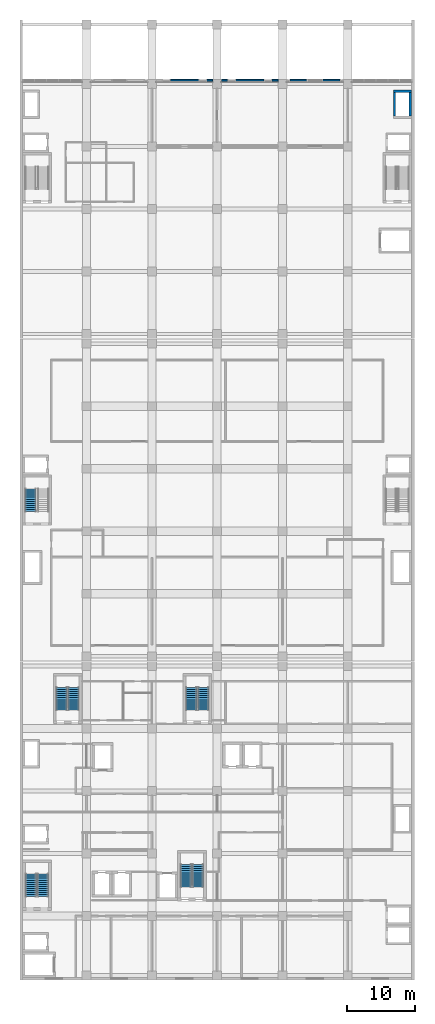
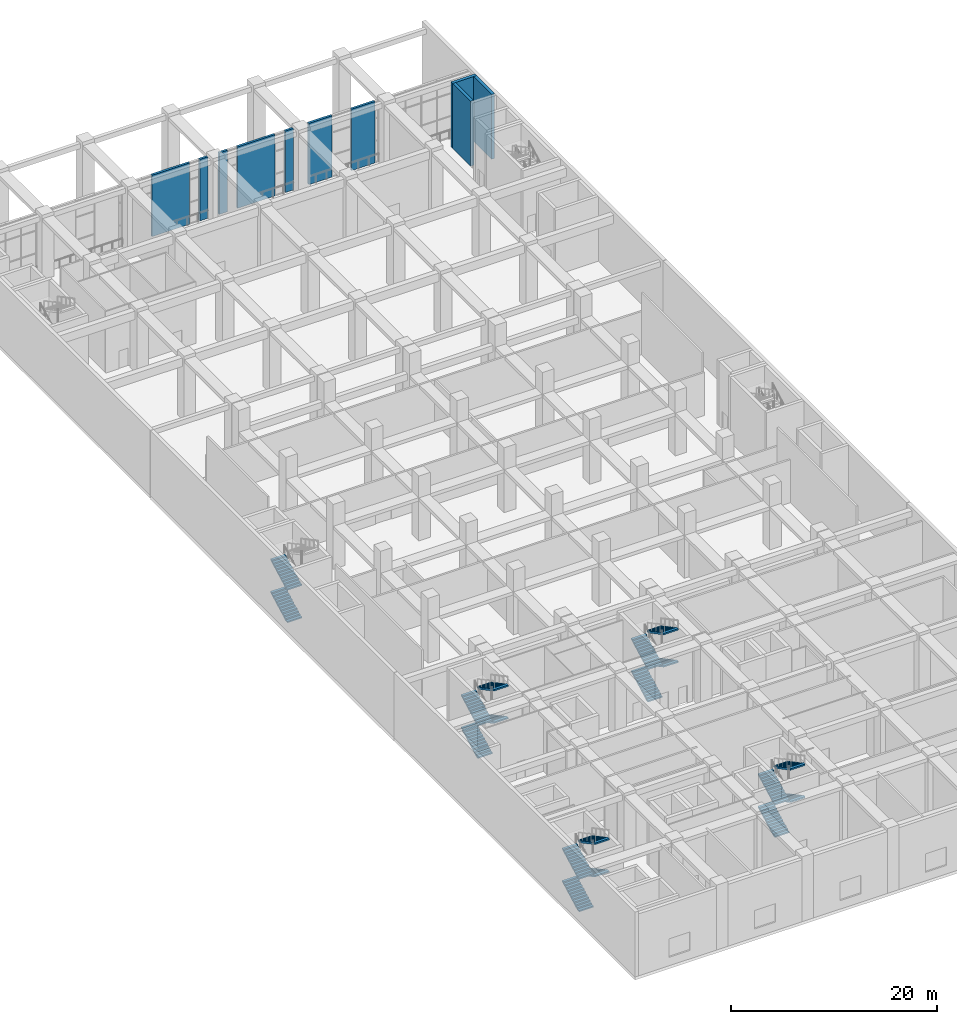
# One storey, part 17 of 33: 18 stair flights, 10 walls, 5 elements without a shape of their own.
"""IFC4 building model written with IfcOpenShell, lengths in metres."""

from ifc_helpers import new_model, si_unit, direction, frame, frame_2d, origin, place, context, subcontext, project, spatial, polyline, rectangle, outline, extrude, material, layer, layer_set, layer_usage, type_object, element, aggregate, save


model = new_model("IFC4")

# Units and contexts
model_context = context("Model", 3, precision=1e-05, world=origin(), true_north=direction((0.0, 1.0)))
body_context = subcontext(model_context, "Body", "Model", "MODEL_VIEW")
ifc_project = project(units=[si_unit("LENGTHUNIT", "METRE"), si_unit("AREAUNIT", "SQUARE_METRE"), si_unit("VOLUMEUNIT", "CUBIC_METRE"), si_unit("PLANEANGLEUNIT", "RADIAN"), si_unit("MASSUNIT", "GRAM", prefix="KILO")], contexts=[model_context])

# Site, building, storey
site_placement = place(None, origin())
site = spatial("IfcSite", under=ifc_project, at=site_placement, CompositionType="ELEMENT")
building_placement = place(site_placement, origin())
building = spatial("IfcBuilding", under=site, at=building_placement, Name="Nzadi Deep Aquarium and Research Tower", CompositionType="ELEMENT")
storey_placement = place(building_placement, frame((0.0, 0.0, 6.5)))
storey = spatial("IfcBuildingStorey", under=building, at=storey_placement, Name="L01", CompositionType="ELEMENT", Elevation=6.5)

# Walls
ifc_material_1 = material(Name="Concrete C35/45", Category="concrete")
ifc_layer_1 = layer(ifc_material_1, 0.199951171875, Category="cladding")
ifc_material_2 = material(Name="Mineral wool insulation")
ifc_layer_2 = layer(ifc_material_2, 0.050048828125, Category="insulation")
ifc_layer_set_1 = layer_set([ifc_layer_1, ifc_layer_2], Name="Concrete C35/45, Mineral wool insulation")
ifc_layer_usage_1 = layer_usage(ifc_layer_set_1, "AXIS2", "POSITIVE", -0.125)
wall_type_1 = type_object("IfcWallType", Name="Entrance pier wall stone clad 250", PredefinedType="ELEMENTEDWALL", material=ifc_layer_set_1)
wall_1_placement = place(storey_placement, frame((42.10009765625, 132.125, 0.0), z_axis=(0.0, 0.0, 1.0), x_axis=(-1.0, 0.0, 0.0)))
element("IfcWall", 1, at=wall_1_placement, inside=storey, type_object=wall_type_1, material=ifc_layer_usage_1, Name="Entrance pier L01", PredefinedType="ELEMENTEDWALL", context=body_context, shape_type="SweptSolid", body=[
    extrude(rectangle(XDim=2.60009765625, YDim=0.25, at=frame_2d((1.300048828125, 0.0))), origin(), (0.0, 0.0, 1.0), 7.2900390625),
])
ifc_layer_usage_2 = layer_usage(ifc_layer_set_1, "AXIS2", "POSITIVE", -0.125)
wall_2_placement = place(storey_placement, frame((46.89990234375, 132.125, 0.0), z_axis=(0.0, 0.0, 1.0), x_axis=(-1.0, 0.0, 0.0)))
element("IfcWall", 2, at=wall_2_placement, inside=storey, type_object=wall_type_1, material=ifc_layer_usage_2, Name="Entrance pier L01", PredefinedType="ELEMENTEDWALL", context=body_context, shape_type="SweptSolid", body=[
    extrude(rectangle(XDim=2.599853515625, YDim=0.25, at=frame_2d((1.2998046875, 0.0))), origin(), (0.0, 0.0, 1.0), 7.2900390625),
])
ifc_material_3 = material(Name="Marine blue glazed ceramic")
ifc_layer_3 = layer(ifc_material_3, 0.050048828125, Category="cladding")
ifc_layer_4 = layer(ifc_material_1, 0.199951171875, Category="structure")
ifc_layer_set_2 = layer_set([ifc_layer_3, ifc_layer_4], Name="Marine blue glazed ceramic, Concrete C35/45")
ifc_layer_usage_3 = layer_usage(ifc_layer_set_2, "AXIS2", "POSITIVE", -0.125)
wall_type_2 = type_object("IfcWallType", Name="Entrance portal wall graphite shingle 250", PredefinedType="ELEMENTEDWALL", material=ifc_layer_set_2)
wall_3_placement = place(storey_placement, frame((26.10009765625, 132.125, 0.0), z_axis=(0.0, 0.0, 1.0), x_axis=(-1.0, 0.0, 0.0)))
element("IfcWall", 3, at=wall_3_placement, inside=storey, type_object=wall_type_2, material=ifc_layer_usage_3, Name="Entrance portal L01", PredefinedType="ELEMENTEDWALL", context=body_context, shape_type="SweptSolid", body=[
    extrude(rectangle(XDim=4.2001953125, YDim=0.25, at=frame_2d((2.10009765625, 0.0))), origin(), (0.0, 0.0, 1.0), 7.2900390625),
])
ifc_layer_usage_4 = layer_usage(ifc_layer_set_2, "AXIS2", "POSITIVE", -0.125)
wall_4_placement = place(storey_placement, frame((28.14990234375, 132.125, 0.0), z_axis=(0.0, 0.0, 1.0), x_axis=(-1.0, 0.0, 0.0)))
element("IfcWall", 4, at=wall_4_placement, inside=storey, type_object=wall_type_2, material=ifc_layer_usage_4, Name="Entrance pier L01", PredefinedType="ELEMENTEDWALL", context=body_context, shape_type="SweptSolid", body=[
    extrude(rectangle(XDim=0.89990234375, YDim=0.25, at=frame_2d((0.449951171875, 0.0))), origin(), (0.0, 0.0, 1.0), 7.2900390625),
])
ifc_layer_usage_5 = layer_usage(ifc_layer_set_2, "AXIS2", "POSITIVE", -0.125)
wall_5_placement = place(storey_placement, frame((30.35009765625, 132.125, 0.0), z_axis=(0.0, 0.0, 1.0), x_axis=(-1.0, 0.0, 0.0)))
element("IfcWall", 5, at=wall_5_placement, inside=storey, type_object=wall_type_2, material=ifc_layer_usage_5, Name="Entrance pier L01", PredefinedType="ELEMENTEDWALL", context=body_context, shape_type="SweptSolid", body=[
    extrude(rectangle(XDim=0.900146484375, YDim=0.25, at=frame_2d((0.4501953125, 0.0))), origin(), (0.0, 0.0, 1.0), 7.2900390625),
])
ifc_layer_usage_6 = layer_usage(ifc_layer_set_2, "AXIS2", "POSITIVE", -0.125)
wall_6_placement = place(storey_placement, frame((35.699951171875, 132.125, 0.0), z_axis=(0.0, 0.0, 1.0), x_axis=(-1.0, 0.0, 0.0)))
element("IfcWall", 6, at=wall_6_placement, inside=storey, type_object=wall_type_2, material=ifc_layer_usage_6, Name="Entrance portal L01", PredefinedType="ELEMENTEDWALL", context=body_context, shape_type="SweptSolid", body=[
    extrude(rectangle(XDim=4.199951171875, YDim=0.25, at=frame_2d((2.10009765625, 0.0))), origin(), (0.0, 0.0, 1.0), 7.2900390625),
])
ifc_layer_usage_7 = layer_usage(ifc_layer_set_2, "AXIS2", "POSITIVE", -0.125)
wall_7_placement = place(storey_placement, frame((37.75, 132.125, 0.0), z_axis=(0.0, 0.0, 1.0), x_axis=(-1.0, 0.0, 0.0)))
element("IfcWall", 7, at=wall_7_placement, inside=storey, type_object=wall_type_2, material=ifc_layer_usage_7, Name="Entrance pier L01", PredefinedType="ELEMENTEDWALL", context=body_context, shape_type="SweptSolid", body=[
    extrude(rectangle(XDim=0.89990234375, YDim=0.25, at=frame_2d((0.449951171875, 0.0))), origin(), (0.0, 0.0, 1.0), 7.2900390625),
])
ifc_material_4 = material(Name="Concrete C35/45", Category="concrete")
ifc_layer_5 = layer(ifc_material_4, 0.35009765625)
ifc_layer_set_3 = layer_set([ifc_layer_5], Name="Concrete C35/45")
wall_type_3 = type_object("IfcWallType", Name="RC core wall 350, 7.50 to 7.70 m high", PredefinedType="SHEAR", material=ifc_layer_set_3)
wall_8_placement = place(storey_placement, frame((54.699951171875, 130.52490234375, 0.0), z_axis=(0.0, 0.0, 1.0), x_axis=(1.0, 0.0, 0.0)))
element("IfcWall", 8, at=wall_8_placement, inside=storey, type_object=wall_type_3, Name="W-CORE-RS-Z3-E-L01-N", PredefinedType="SHEAR", context=body_context, shape_type="SweptSolid", body=[
    extrude(rectangle(XDim=2.699951171875, YDim=0.35009765625, at=frame_2d((1.35009765625, 0.0))), origin(), (0.0, 0.0, 1.0), 7.699951171875),
])
for number, where, z_axis, x_axis, name in (
    (9, (54.875, 126.85009765625, 0.0), (0.0, 0.0, 1.0), (0.0, 1.0, 0.0), "W-CORE-RS-Z3-E-L01-W"),
    (10, (57.22509765625, 126.85009765625, 0.0), (0.0, 0.0, 1.0), (0.0, 1.0, 0.0), "W-CORE-RS-Z3-E-L01-E"),
):
    element("IfcWall", number, at=place(storey_placement, frame(where, z_axis=z_axis, x_axis=x_axis)), inside=storey, type_object=wall_type_3, Name=name, PredefinedType="SHEAR", context=body_context, shape_type="SweptSolid", body=[
        extrude(rectangle(XDim=3.5, YDim=0.35009765625, at=frame_2d((1.75, 0.0))), origin(), (0.0, 0.0, 1.0), 7.699951171875),
    ])

# Stair, stair flights
ifc_material_5 = material(Name="Concrete C35/45", Category="concrete")
stair_type = type_object("IfcStairType", Name="STAIR RETURN 3000", PredefinedType="NOTDEFINED", material=ifc_material_5)
stair_1_placement = place(storey_placement, origin())
stair_1 = element("IfcStair", 11, at=stair_1_placement, inside=storey, type_object=stair_type, Name="Stair ST-Z1-SW L01", PredefinedType="DOUBLE_RETURN_STAIR")
ifc_material_6 = material(Name="Concrete C35/45", Category="concrete")
stair_flight_type = type_object("IfcStairFlightType", Name="FLIGHT 1625 12 RISERS 160.4", PredefinedType="STRAIGHT", material=ifc_material_6)
stair_flight_1_placement = place(storey_placement, frame((1.41259765625, 12.070068359375, 0.0), z_axis=(0.0, 0.0, 1.0), x_axis=(0.0, 1.0, 0.0)))
stair_flight_1 = element("IfcStairFlight", 12, at=stair_flight_1_placement, type_object=stair_flight_type, Name="ST-Z1-SW flight 1", NumberOfRisers=12, NumberOfTreads=11, PredefinedType="STRAIGHT", RiserHeight=0.160416667, TreadLength=0.3, context=body_context, shape_type="SweptSolid", body=[
    extrude(outline(polyline([(0.0, 0.0), (0.0, 0.160400390625), (0.300048828125, 0.160400390625), (0.300048828125, 0.32080078125), (0.60009765625, 0.32080078125), (0.60009765625, 0.481201171875), (0.89990234375, 0.481201171875), (0.89990234375, 0.6416015625), (1.199951171875, 0.6416015625), (1.199951171875, 0.802001953125), (1.5, 0.802001953125), (1.5, 0.96240234375), (1.800048828125, 0.96240234375), (1.800048828125, 1.122802734375), (2.10009765625, 1.122802734375), (2.10009765625, 1.283447265625), (2.39990234375, 1.283447265625), (2.39990234375, 1.44384765625), (2.699951171875, 1.44384765625), (2.699951171875, 1.604248046875), (3.0, 1.604248046875), (3.0, 1.7646484375), (3.300048828125, 1.7646484375), (3.300048828125, 1.925048828125), (3.300048828125, 1.594482421875), (0.31787109375, 0.0), (0.0, 0.0)])), frame((0.0, 0.8125, 0.0), z_axis=(0.0, -1.0, 0.0), x_axis=(1.0, 0.0, 0.0)), (0.0, 0.0, 1.0), 1.625),
])
stair_flight_2_placement = place(storey_placement, frame((3.1875, 15.3701171875, 1.925048828125), z_axis=(0.0, 0.0, 1.0), x_axis=(0.0, -1.0, 0.0)))
stair_flight_2 = element("IfcStairFlight", 13, at=stair_flight_2_placement, type_object=stair_flight_type, Name="ST-Z1-SW flight 2", NumberOfRisers=12, NumberOfTreads=11, PredefinedType="STRAIGHT", RiserHeight=0.160416667, TreadLength=0.3, context=body_context, shape_type="SweptSolid", body=[
    extrude(outline(polyline([(0.0, 0.0), (0.0, 0.160400390625), (0.300048828125, 0.160400390625), (0.300048828125, 0.32080078125), (0.60009765625, 0.32080078125), (0.60009765625, 0.481201171875), (0.89990234375, 0.481201171875), (0.89990234375, 0.6416015625), (1.199951171875, 0.6416015625), (1.199951171875, 0.802001953125), (1.5, 0.802001953125), (1.5, 0.96240234375), (1.800048828125, 0.96240234375), (1.800048828125, 1.122802734375), (2.10009765625, 1.122802734375), (2.10009765625, 1.283447265625), (2.39990234375, 1.283447265625), (2.39990234375, 1.44384765625), (2.699951171875, 1.44384765625), (2.699951171875, 1.604248046875), (3.0, 1.604248046875), (3.0, 1.7646484375), (3.300048828125, 1.7646484375), (3.300048828125, 1.925048828125), (3.300048828125, 1.594482421875), (0.31787109375, 0.0), (0.0, 0.0)])), frame((0.0, 0.8125, 0.0), z_axis=(0.0, -1.0, 0.0), x_axis=(1.0, 0.0, 0.0)), (0.0, 0.0, 1.0), 1.625),
])
stair_flight_3_placement = place(storey_placement, frame((1.41259765625, 12.070068359375, 3.85009765625), z_axis=(0.0, 0.0, 1.0), x_axis=(0.0, 1.0, 0.0)))
stair_flight_3 = element("IfcStairFlight", 14, at=stair_flight_3_placement, type_object=stair_flight_type, Name="ST-Z1-SW flight 3", NumberOfRisers=12, NumberOfTreads=11, PredefinedType="STRAIGHT", RiserHeight=0.160416667, TreadLength=0.3, context=body_context, shape_type="SweptSolid", body=[
    extrude(outline(polyline([(0.0, 0.0), (0.0, 0.160400390625), (0.300048828125, 0.160400390625), (0.300048828125, 0.32080078125), (0.60009765625, 0.32080078125), (0.60009765625, 0.481201171875), (0.89990234375, 0.481201171875), (0.89990234375, 0.6416015625), (1.199951171875, 0.6416015625), (1.199951171875, 0.802001953125), (1.5, 0.802001953125), (1.5, 0.96240234375), (1.800048828125, 0.96240234375), (1.800048828125, 1.122802734375), (2.10009765625, 1.122802734375), (2.10009765625, 1.283447265625), (2.39990234375, 1.283447265625), (2.39990234375, 1.44384765625), (2.699951171875, 1.44384765625), (2.699951171875, 1.604248046875), (3.0, 1.604248046875), (3.0, 1.7646484375), (3.300048828125, 1.7646484375), (3.300048828125, 1.925048828125), (3.300048828125, 1.594482421875), (0.31787109375, 0.0), (0.0, 0.0)])), frame((0.0, 0.8125, 0.0), z_axis=(0.0, -1.0, 0.0), x_axis=(1.0, 0.0, 0.0)), (0.0, 0.0, 1.0), 1.625),
])
stair_flight_4_placement = place(storey_placement, frame((3.1875, 15.3701171875, 5.77490234375), z_axis=(0.0, 0.0, 1.0), x_axis=(0.0, -1.0, 0.0)))
stair_flight_4 = element("IfcStairFlight", 15, at=stair_flight_4_placement, type_object=stair_flight_type, Name="ST-Z1-SW flight 4", NumberOfRisers=12, NumberOfTreads=11, PredefinedType="STRAIGHT", RiserHeight=0.160416667, TreadLength=0.3, context=body_context, shape_type="SweptSolid", body=[
    extrude(outline(polyline([(0.0, 0.0), (0.0, 0.160400390625), (0.300048828125, 0.160400390625), (0.300048828125, 0.32080078125), (0.60009765625, 0.32080078125), (0.60009765625, 0.481201171875), (0.89990234375, 0.481201171875), (0.89990234375, 0.6416015625), (1.199951171875, 0.6416015625), (1.199951171875, 0.802001953125), (1.5, 0.802001953125), (1.5, 0.96240234375), (1.800048828125, 0.96240234375), (1.800048828125, 1.122802734375), (2.10009765625, 1.122802734375), (2.10009765625, 1.283447265625), (2.39990234375, 1.283447265625), (2.39990234375, 1.44384765625), (2.699951171875, 1.44384765625), (2.699951171875, 1.604248046875), (3.0, 1.604248046875), (3.0, 1.7646484375), (3.300048828125, 1.7646484375), (3.300048828125, 1.925048828125), (3.300048828125, 1.594482421875), (0.31787109375, 0.0), (0.0, 0.0)])), frame((0.0, 0.8125, 0.0), z_axis=(0.0, -1.0, 0.0), x_axis=(1.0, 0.0, 0.0)), (0.0, 0.0, 1.0), 1.625),
])
aggregate(stair_1, [stair_flight_1, stair_flight_2, stair_flight_3, stair_flight_4])

stair_2_placement = place(storey_placement, origin())
stair_2 = element("IfcStair", 16, at=stair_2_placement, inside=storey, type_object=stair_type, Name="Stair ST-Z1-SE L01", PredefinedType="DOUBLE_RETURN_STAIR")
stair_flight_5_placement = place(storey_placement, frame((24.21240234375, 13.469970703125, 0.0), z_axis=(0.0, 0.0, 1.0), x_axis=(0.0, 1.0, 0.0)))
stair_flight_5 = element("IfcStairFlight", 17, at=stair_flight_5_placement, type_object=stair_flight_type, Name="ST-Z1-SE flight 1", NumberOfRisers=12, NumberOfTreads=11, PredefinedType="STRAIGHT", RiserHeight=0.160416667, TreadLength=0.3, context=body_context, shape_type="SweptSolid", body=[
    extrude(outline(polyline([(0.0, 0.0), (0.0, 0.160400390625), (0.300048828125, 0.160400390625), (0.300048828125, 0.32080078125), (0.60009765625, 0.32080078125), (0.60009765625, 0.481201171875), (0.89990234375, 0.481201171875), (0.89990234375, 0.6416015625), (1.199951171875, 0.6416015625), (1.199951171875, 0.802001953125), (1.5, 0.802001953125), (1.5, 0.96240234375), (1.800048828125, 0.96240234375), (1.800048828125, 1.122802734375), (2.10009765625, 1.122802734375), (2.10009765625, 1.283447265625), (2.39990234375, 1.283447265625), (2.39990234375, 1.44384765625), (2.699951171875, 1.44384765625), (2.699951171875, 1.604248046875), (3.0, 1.604248046875), (3.0, 1.7646484375), (3.300048828125, 1.7646484375), (3.300048828125, 1.925048828125), (3.300048828125, 1.594482421875), (0.31787109375, 0.0), (0.0, 0.0)])), frame((0.0, 0.8125, 0.0), z_axis=(0.0, -1.0, 0.0), x_axis=(1.0, 0.0, 0.0)), (0.0, 0.0, 1.0), 1.625),
])
stair_flight_6_placement = place(storey_placement, frame((25.987548828125, 16.77001953125, 1.925048828125), z_axis=(0.0, 0.0, 1.0), x_axis=(0.0, -1.0, 0.0)))
stair_flight_6 = element("IfcStairFlight", 18, at=stair_flight_6_placement, type_object=stair_flight_type, Name="ST-Z1-SE flight 2", NumberOfRisers=12, NumberOfTreads=11, PredefinedType="STRAIGHT", RiserHeight=0.160416667, TreadLength=0.3, context=body_context, shape_type="SweptSolid", body=[
    extrude(outline(polyline([(0.0, 0.0), (0.0, 0.160400390625), (0.300048828125, 0.160400390625), (0.300048828125, 0.32080078125), (0.60009765625, 0.32080078125), (0.60009765625, 0.481201171875), (0.89990234375, 0.481201171875), (0.89990234375, 0.6416015625), (1.199951171875, 0.6416015625), (1.199951171875, 0.802001953125), (1.5, 0.802001953125), (1.5, 0.96240234375), (1.800048828125, 0.96240234375), (1.800048828125, 1.122802734375), (2.10009765625, 1.122802734375), (2.10009765625, 1.283447265625), (2.39990234375, 1.283447265625), (2.39990234375, 1.44384765625), (2.699951171875, 1.44384765625), (2.699951171875, 1.604248046875), (3.0, 1.604248046875), (3.0, 1.7646484375), (3.300048828125, 1.7646484375), (3.300048828125, 1.925048828125), (3.300048828125, 1.594482421875), (0.31787109375, 0.0), (0.0, 0.0)])), frame((0.0, 0.8125, 0.0), z_axis=(0.0, -1.0, 0.0), x_axis=(1.0, 0.0, 0.0)), (0.0, 0.0, 1.0), 1.625),
])
stair_flight_7_placement = place(storey_placement, frame((24.21240234375, 13.469970703125, 3.85009765625), z_axis=(0.0, 0.0, 1.0), x_axis=(0.0, 1.0, 0.0)))
stair_flight_7 = element("IfcStairFlight", 19, at=stair_flight_7_placement, type_object=stair_flight_type, Name="ST-Z1-SE flight 3", NumberOfRisers=12, NumberOfTreads=11, PredefinedType="STRAIGHT", RiserHeight=0.160416667, TreadLength=0.3, context=body_context, shape_type="SweptSolid", body=[
    extrude(outline(polyline([(0.0, 0.0), (0.0, 0.160400390625), (0.300048828125, 0.160400390625), (0.300048828125, 0.32080078125), (0.60009765625, 0.32080078125), (0.60009765625, 0.481201171875), (0.89990234375, 0.481201171875), (0.89990234375, 0.6416015625), (1.199951171875, 0.6416015625), (1.199951171875, 0.802001953125), (1.5, 0.802001953125), (1.5, 0.96240234375), (1.800048828125, 0.96240234375), (1.800048828125, 1.122802734375), (2.10009765625, 1.122802734375), (2.10009765625, 1.283447265625), (2.39990234375, 1.283447265625), (2.39990234375, 1.44384765625), (2.699951171875, 1.44384765625), (2.699951171875, 1.604248046875), (3.0, 1.604248046875), (3.0, 1.7646484375), (3.300048828125, 1.7646484375), (3.300048828125, 1.925048828125), (3.300048828125, 1.594482421875), (0.31787109375, 0.0), (0.0, 0.0)])), frame((0.0, 0.8125, 0.0), z_axis=(0.0, -1.0, 0.0), x_axis=(1.0, 0.0, 0.0)), (0.0, 0.0, 1.0), 1.625),
])
stair_flight_8_placement = place(storey_placement, frame((25.987548828125, 16.77001953125, 5.77490234375), z_axis=(0.0, 0.0, 1.0), x_axis=(0.0, -1.0, 0.0)))
stair_flight_8 = element("IfcStairFlight", 20, at=stair_flight_8_placement, type_object=stair_flight_type, Name="ST-Z1-SE flight 4", NumberOfRisers=12, NumberOfTreads=11, PredefinedType="STRAIGHT", RiserHeight=0.160416667, TreadLength=0.3, context=body_context, shape_type="SweptSolid", body=[
    extrude(outline(polyline([(0.0, 0.0), (0.0, 0.160400390625), (0.300048828125, 0.160400390625), (0.300048828125, 0.32080078125), (0.60009765625, 0.32080078125), (0.60009765625, 0.481201171875), (0.89990234375, 0.481201171875), (0.89990234375, 0.6416015625), (1.199951171875, 0.6416015625), (1.199951171875, 0.802001953125), (1.5, 0.802001953125), (1.5, 0.96240234375), (1.800048828125, 0.96240234375), (1.800048828125, 1.122802734375), (2.10009765625, 1.122802734375), (2.10009765625, 1.283447265625), (2.39990234375, 1.283447265625), (2.39990234375, 1.44384765625), (2.699951171875, 1.44384765625), (2.699951171875, 1.604248046875), (3.0, 1.604248046875), (3.0, 1.7646484375), (3.300048828125, 1.7646484375), (3.300048828125, 1.925048828125), (3.300048828125, 1.594482421875), (0.31787109375, 0.0), (0.0, 0.0)])), frame((0.0, 0.8125, 0.0), z_axis=(0.0, -1.0, 0.0), x_axis=(1.0, 0.0, 0.0)), (0.0, 0.0, 1.0), 1.625),
])
aggregate(stair_2, [stair_flight_5, stair_flight_6, stair_flight_7, stair_flight_8])

stair_3_placement = place(storey_placement, origin())
stair_3 = element("IfcStair", 21, at=stair_3_placement, inside=storey, type_object=stair_type, Name="Stair ST-Z1-NW L01", PredefinedType="DOUBLE_RETURN_STAIR")
stair_flight_9_placement = place(storey_placement, frame((5.91259765625, 39.52001953125, 0.0), z_axis=(0.0, 0.0, 1.0), x_axis=(0.0, 1.0, 0.0)))
stair_flight_9 = element("IfcStairFlight", 22, at=stair_flight_9_placement, type_object=stair_flight_type, Name="ST-Z1-NW flight 1", NumberOfRisers=12, NumberOfTreads=11, PredefinedType="STRAIGHT", RiserHeight=0.160416667, TreadLength=0.3, context=body_context, shape_type="SweptSolid", body=[
    extrude(outline(polyline([(0.0, 0.0), (0.0, 0.160400390625), (0.300048828125, 0.160400390625), (0.300048828125, 0.32080078125), (0.60009765625, 0.32080078125), (0.60009765625, 0.481201171875), (0.89990234375, 0.481201171875), (0.89990234375, 0.6416015625), (1.199951171875, 0.6416015625), (1.199951171875, 0.802001953125), (1.5, 0.802001953125), (1.5, 0.96240234375), (1.800048828125, 0.96240234375), (1.800048828125, 1.122802734375), (2.10009765625, 1.122802734375), (2.10009765625, 1.283447265625), (2.39990234375, 1.283447265625), (2.39990234375, 1.44384765625), (2.699951171875, 1.44384765625), (2.699951171875, 1.604248046875), (3.0, 1.604248046875), (3.0, 1.7646484375), (3.300048828125, 1.7646484375), (3.300048828125, 1.925048828125), (3.300048828125, 1.594482421875), (0.31787109375, 0.0), (0.0, 0.0)])), frame((0.0, 0.8125, 0.0), z_axis=(0.0, -1.0, 0.0), x_axis=(1.0, 0.0, 0.0)), (0.0, 0.0, 1.0), 1.625),
])
stair_flight_10_placement = place(storey_placement, frame((7.6875, 42.820068359375, 1.925048828125), z_axis=(0.0, 0.0, 1.0), x_axis=(0.0, -1.0, 0.0)))
stair_flight_10 = element("IfcStairFlight", 23, at=stair_flight_10_placement, type_object=stair_flight_type, Name="ST-Z1-NW flight 2", NumberOfRisers=12, NumberOfTreads=11, PredefinedType="STRAIGHT", RiserHeight=0.160416667, TreadLength=0.3, context=body_context, shape_type="SweptSolid", body=[
    extrude(outline(polyline([(0.0, 0.0), (0.0, 0.160400390625), (0.300048828125, 0.160400390625), (0.300048828125, 0.32080078125), (0.60009765625, 0.32080078125), (0.60009765625, 0.481201171875), (0.89990234375, 0.481201171875), (0.89990234375, 0.6416015625), (1.199951171875, 0.6416015625), (1.199951171875, 0.802001953125), (1.5, 0.802001953125), (1.5, 0.96240234375), (1.800048828125, 0.96240234375), (1.800048828125, 1.122802734375), (2.10009765625, 1.122802734375), (2.10009765625, 1.283447265625), (2.39990234375, 1.283447265625), (2.39990234375, 1.44384765625), (2.699951171875, 1.44384765625), (2.699951171875, 1.604248046875), (3.0, 1.604248046875), (3.0, 1.7646484375), (3.300048828125, 1.7646484375), (3.300048828125, 1.925048828125), (3.300048828125, 1.594482421875), (0.31787109375, 0.0), (0.0, 0.0)])), frame((0.0, 0.8125, 0.0), z_axis=(0.0, -1.0, 0.0), x_axis=(1.0, 0.0, 0.0)), (0.0, 0.0, 1.0), 1.625),
])
stair_flight_11_placement = place(storey_placement, frame((5.91259765625, 39.52001953125, 3.85009765625), z_axis=(0.0, 0.0, 1.0), x_axis=(0.0, 1.0, 0.0)))
stair_flight_11 = element("IfcStairFlight", 24, at=stair_flight_11_placement, type_object=stair_flight_type, Name="ST-Z1-NW flight 3", NumberOfRisers=12, NumberOfTreads=11, PredefinedType="STRAIGHT", RiserHeight=0.160416667, TreadLength=0.3, context=body_context, shape_type="SweptSolid", body=[
    extrude(outline(polyline([(0.0, 0.0), (0.0, 0.160400390625), (0.300048828125, 0.160400390625), (0.300048828125, 0.32080078125), (0.60009765625, 0.32080078125), (0.60009765625, 0.481201171875), (0.89990234375, 0.481201171875), (0.89990234375, 0.6416015625), (1.199951171875, 0.6416015625), (1.199951171875, 0.802001953125), (1.5, 0.802001953125), (1.5, 0.96240234375), (1.800048828125, 0.96240234375), (1.800048828125, 1.122802734375), (2.10009765625, 1.122802734375), (2.10009765625, 1.283447265625), (2.39990234375, 1.283447265625), (2.39990234375, 1.44384765625), (2.699951171875, 1.44384765625), (2.699951171875, 1.604248046875), (3.0, 1.604248046875), (3.0, 1.7646484375), (3.300048828125, 1.7646484375), (3.300048828125, 1.925048828125), (3.300048828125, 1.594482421875), (0.31787109375, 0.0), (0.0, 0.0)])), frame((0.0, 0.8125, 0.0), z_axis=(0.0, -1.0, 0.0), x_axis=(1.0, 0.0, 0.0)), (0.0, 0.0, 1.0), 1.625),
])
stair_flight_12_placement = place(storey_placement, frame((7.6875, 42.820068359375, 5.77490234375), z_axis=(0.0, 0.0, 1.0), x_axis=(0.0, -1.0, 0.0)))
stair_flight_12 = element("IfcStairFlight", 25, at=stair_flight_12_placement, type_object=stair_flight_type, Name="ST-Z1-NW flight 4", NumberOfRisers=12, NumberOfTreads=11, PredefinedType="STRAIGHT", RiserHeight=0.160416667, TreadLength=0.3, context=body_context, shape_type="SweptSolid", body=[
    extrude(outline(polyline([(0.0, 0.0), (0.0, 0.160400390625), (0.300048828125, 0.160400390625), (0.300048828125, 0.32080078125), (0.60009765625, 0.32080078125), (0.60009765625, 0.481201171875), (0.89990234375, 0.481201171875), (0.89990234375, 0.6416015625), (1.199951171875, 0.6416015625), (1.199951171875, 0.802001953125), (1.5, 0.802001953125), (1.5, 0.96240234375), (1.800048828125, 0.96240234375), (1.800048828125, 1.122802734375), (2.10009765625, 1.122802734375), (2.10009765625, 1.283447265625), (2.39990234375, 1.283447265625), (2.39990234375, 1.44384765625), (2.699951171875, 1.44384765625), (2.699951171875, 1.604248046875), (3.0, 1.604248046875), (3.0, 1.7646484375), (3.300048828125, 1.7646484375), (3.300048828125, 1.925048828125), (3.300048828125, 1.594482421875), (0.31787109375, 0.0), (0.0, 0.0)])), frame((0.0, 0.8125, 0.0), z_axis=(0.0, -1.0, 0.0), x_axis=(1.0, 0.0, 0.0)), (0.0, 0.0, 1.0), 1.625),
])
aggregate(stair_3, [stair_flight_9, stair_flight_10, stair_flight_11, stair_flight_12])

stair_4_placement = place(storey_placement, origin())
stair_4 = element("IfcStair", 26, at=stair_4_placement, inside=storey, type_object=stair_type, Name="Stair ST-Z1-NE L01", PredefinedType="DOUBLE_RETURN_STAIR")
stair_flight_13_placement = place(storey_placement, frame((25.012451171875, 39.52001953125, 0.0), z_axis=(0.0, 0.0, 1.0), x_axis=(0.0, 1.0, 0.0)))
stair_flight_13 = element("IfcStairFlight", 27, at=stair_flight_13_placement, type_object=stair_flight_type, Name="ST-Z1-NE flight 1", NumberOfRisers=12, NumberOfTreads=11, PredefinedType="STRAIGHT", RiserHeight=0.160416667, TreadLength=0.3, context=body_context, shape_type="SweptSolid", body=[
    extrude(outline(polyline([(0.0, 0.0), (0.0, 0.160400390625), (0.300048828125, 0.160400390625), (0.300048828125, 0.32080078125), (0.60009765625, 0.32080078125), (0.60009765625, 0.481201171875), (0.89990234375, 0.481201171875), (0.89990234375, 0.6416015625), (1.199951171875, 0.6416015625), (1.199951171875, 0.802001953125), (1.5, 0.802001953125), (1.5, 0.96240234375), (1.800048828125, 0.96240234375), (1.800048828125, 1.122802734375), (2.10009765625, 1.122802734375), (2.10009765625, 1.283447265625), (2.39990234375, 1.283447265625), (2.39990234375, 1.44384765625), (2.699951171875, 1.44384765625), (2.699951171875, 1.604248046875), (3.0, 1.604248046875), (3.0, 1.7646484375), (3.300048828125, 1.7646484375), (3.300048828125, 1.925048828125), (3.300048828125, 1.594482421875), (0.31787109375, 0.0), (0.0, 0.0)])), frame((0.0, 0.8125, 0.0), z_axis=(0.0, -1.0, 0.0), x_axis=(1.0, 0.0, 0.0)), (0.0, 0.0, 1.0), 1.625),
])
stair_flight_14_placement = place(storey_placement, frame((26.78759765625, 42.820068359375, 1.925048828125), z_axis=(0.0, 0.0, 1.0), x_axis=(0.0, -1.0, 0.0)))
stair_flight_14 = element("IfcStairFlight", 28, at=stair_flight_14_placement, type_object=stair_flight_type, Name="ST-Z1-NE flight 2", NumberOfRisers=12, NumberOfTreads=11, PredefinedType="STRAIGHT", RiserHeight=0.160416667, TreadLength=0.3, context=body_context, shape_type="SweptSolid", body=[
    extrude(outline(polyline([(0.0, 0.0), (0.0, 0.160400390625), (0.300048828125, 0.160400390625), (0.300048828125, 0.32080078125), (0.60009765625, 0.32080078125), (0.60009765625, 0.481201171875), (0.89990234375, 0.481201171875), (0.89990234375, 0.6416015625), (1.199951171875, 0.6416015625), (1.199951171875, 0.802001953125), (1.5, 0.802001953125), (1.5, 0.96240234375), (1.800048828125, 0.96240234375), (1.800048828125, 1.122802734375), (2.10009765625, 1.122802734375), (2.10009765625, 1.283447265625), (2.39990234375, 1.283447265625), (2.39990234375, 1.44384765625), (2.699951171875, 1.44384765625), (2.699951171875, 1.604248046875), (3.0, 1.604248046875), (3.0, 1.7646484375), (3.300048828125, 1.7646484375), (3.300048828125, 1.925048828125), (3.300048828125, 1.594482421875), (0.31787109375, 0.0), (0.0, 0.0)])), frame((0.0, 0.8125, 0.0), z_axis=(0.0, -1.0, 0.0), x_axis=(1.0, 0.0, 0.0)), (0.0, 0.0, 1.0), 1.625),
])
stair_flight_15_placement = place(storey_placement, frame((25.012451171875, 39.52001953125, 3.85009765625), z_axis=(0.0, 0.0, 1.0), x_axis=(0.0, 1.0, 0.0)))
stair_flight_15 = element("IfcStairFlight", 29, at=stair_flight_15_placement, type_object=stair_flight_type, Name="ST-Z1-NE flight 3", NumberOfRisers=12, NumberOfTreads=11, PredefinedType="STRAIGHT", RiserHeight=0.160416667, TreadLength=0.3, context=body_context, shape_type="SweptSolid", body=[
    extrude(outline(polyline([(0.0, 0.0), (0.0, 0.160400390625), (0.300048828125, 0.160400390625), (0.300048828125, 0.32080078125), (0.60009765625, 0.32080078125), (0.60009765625, 0.481201171875), (0.89990234375, 0.481201171875), (0.89990234375, 0.6416015625), (1.199951171875, 0.6416015625), (1.199951171875, 0.802001953125), (1.5, 0.802001953125), (1.5, 0.96240234375), (1.800048828125, 0.96240234375), (1.800048828125, 1.122802734375), (2.10009765625, 1.122802734375), (2.10009765625, 1.283447265625), (2.39990234375, 1.283447265625), (2.39990234375, 1.44384765625), (2.699951171875, 1.44384765625), (2.699951171875, 1.604248046875), (3.0, 1.604248046875), (3.0, 1.7646484375), (3.300048828125, 1.7646484375), (3.300048828125, 1.925048828125), (3.300048828125, 1.594482421875), (0.31787109375, 0.0), (0.0, 0.0)])), frame((0.0, 0.8125, 0.0), z_axis=(0.0, -1.0, 0.0), x_axis=(1.0, 0.0, 0.0)), (0.0, 0.0, 1.0), 1.625),
])
stair_flight_16_placement = place(storey_placement, frame((26.78759765625, 42.820068359375, 5.77490234375), z_axis=(0.0, 0.0, 1.0), x_axis=(0.0, -1.0, 0.0)))
stair_flight_16 = element("IfcStairFlight", 30, at=stair_flight_16_placement, type_object=stair_flight_type, Name="ST-Z1-NE flight 4", NumberOfRisers=12, NumberOfTreads=11, PredefinedType="STRAIGHT", RiserHeight=0.160416667, TreadLength=0.3, context=body_context, shape_type="SweptSolid", body=[
    extrude(outline(polyline([(0.0, 0.0), (0.0, 0.160400390625), (0.300048828125, 0.160400390625), (0.300048828125, 0.32080078125), (0.60009765625, 0.32080078125), (0.60009765625, 0.481201171875), (0.89990234375, 0.481201171875), (0.89990234375, 0.6416015625), (1.199951171875, 0.6416015625), (1.199951171875, 0.802001953125), (1.5, 0.802001953125), (1.5, 0.96240234375), (1.800048828125, 0.96240234375), (1.800048828125, 1.122802734375), (2.10009765625, 1.122802734375), (2.10009765625, 1.283447265625), (2.39990234375, 1.283447265625), (2.39990234375, 1.44384765625), (2.699951171875, 1.44384765625), (2.699951171875, 1.604248046875), (3.0, 1.604248046875), (3.0, 1.7646484375), (3.300048828125, 1.7646484375), (3.300048828125, 1.925048828125), (3.300048828125, 1.594482421875), (0.31787109375, 0.0), (0.0, 0.0)])), frame((0.0, 0.8125, 0.0), z_axis=(0.0, -1.0, 0.0), x_axis=(1.0, 0.0, 0.0)), (0.0, 0.0, 1.0), 1.625),
])
aggregate(stair_4, [stair_flight_13, stair_flight_14, stair_flight_15, stair_flight_16])

stair_5_placement = place(storey_placement, origin())
stair_5 = element("IfcStair", 31, at=stair_5_placement, inside=storey, type_object=stair_type, Name="Stair ST-Z2-W L01", PredefinedType="DOUBLE_RETURN_STAIR")
stair_flight_17_placement = place(storey_placement, frame((1.362548828125, 68.7099609375, 0.0), z_axis=(0.0, 0.0, 1.0), x_axis=(0.0, 1.0, 0.0)))
stair_flight_17 = element("IfcStairFlight", 32, at=stair_flight_17_placement, type_object=stair_flight_type, Name="ST-Z2-W flight 1", NumberOfRisers=12, NumberOfTreads=11, PredefinedType="STRAIGHT", RiserHeight=0.160416667, TreadLength=0.3, context=body_context, shape_type="SweptSolid", body=[
    extrude(outline(polyline([(0.0, 0.0), (0.0, 0.160400390625), (0.300048828125, 0.160400390625), (0.300048828125, 0.32080078125), (0.60009765625, 0.32080078125), (0.60009765625, 0.481201171875), (0.89990234375, 0.481201171875), (0.89990234375, 0.6416015625), (1.199951171875, 0.6416015625), (1.199951171875, 0.802001953125), (1.5, 0.802001953125), (1.5, 0.96240234375), (1.800048828125, 0.96240234375), (1.800048828125, 1.122802734375), (2.10009765625, 1.122802734375), (2.10009765625, 1.283447265625), (2.39990234375, 1.283447265625), (2.39990234375, 1.44384765625), (2.699951171875, 1.44384765625), (2.699951171875, 1.604248046875), (3.0, 1.604248046875), (3.0, 1.7646484375), (3.300048828125, 1.7646484375), (3.300048828125, 1.925048828125), (3.300048828125, 1.594482421875), (0.31787109375, 0.0), (0.0, 0.0)])), frame((0.0, 0.8125, 0.0), z_axis=(0.0, -1.0, 0.0), x_axis=(1.0, 0.0, 0.0)), (0.0, 0.0, 1.0), 1.625),
])
stair_flight_18_placement = place(storey_placement, frame((1.362548828125, 68.7099609375, 3.85009765625), z_axis=(0.0, 0.0, 1.0), x_axis=(0.0, 1.0, 0.0)))
stair_flight_18 = element("IfcStairFlight", 33, at=stair_flight_18_placement, type_object=stair_flight_type, Name="ST-Z2-W flight 3", NumberOfRisers=12, NumberOfTreads=11, PredefinedType="STRAIGHT", RiserHeight=0.160416667, TreadLength=0.3, context=body_context, shape_type="SweptSolid", body=[
    extrude(outline(polyline([(0.0, 0.0), (0.0, 0.160400390625), (0.300048828125, 0.160400390625), (0.300048828125, 0.32080078125), (0.60009765625, 0.32080078125), (0.60009765625, 0.481201171875), (0.89990234375, 0.481201171875), (0.89990234375, 0.6416015625), (1.199951171875, 0.6416015625), (1.199951171875, 0.802001953125), (1.5, 0.802001953125), (1.5, 0.96240234375), (1.800048828125, 0.96240234375), (1.800048828125, 1.122802734375), (2.10009765625, 1.122802734375), (2.10009765625, 1.283447265625), (2.39990234375, 1.283447265625), (2.39990234375, 1.44384765625), (2.699951171875, 1.44384765625), (2.699951171875, 1.604248046875), (3.0, 1.604248046875), (3.0, 1.7646484375), (3.300048828125, 1.7646484375), (3.300048828125, 1.925048828125), (3.300048828125, 1.594482421875), (0.31787109375, 0.0), (0.0, 0.0)])), frame((0.0, 0.8125, 0.0), z_axis=(0.0, -1.0, 0.0), x_axis=(1.0, 0.0, 0.0)), (0.0, 0.0, 1.0), 1.625),
])
aggregate(stair_5, [stair_flight_17, stair_flight_18])

save(model, "model.ifc")
